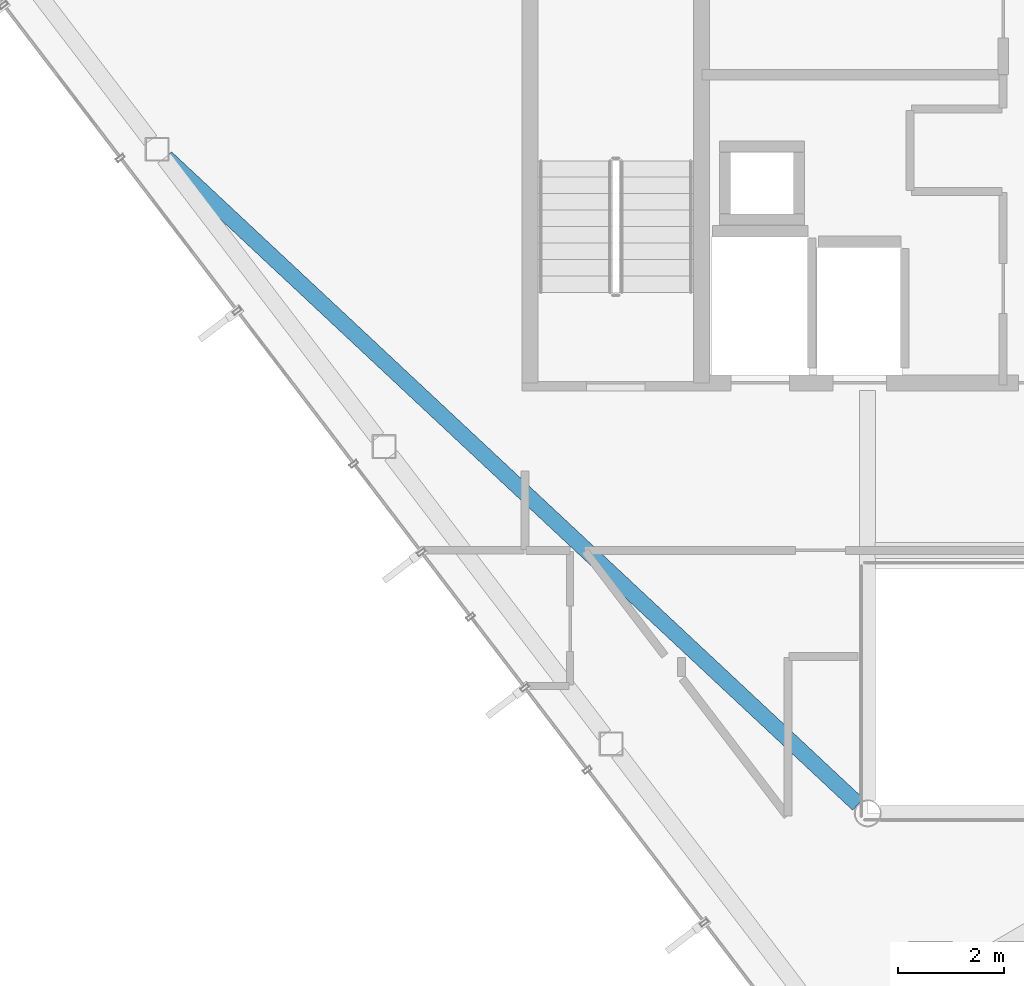
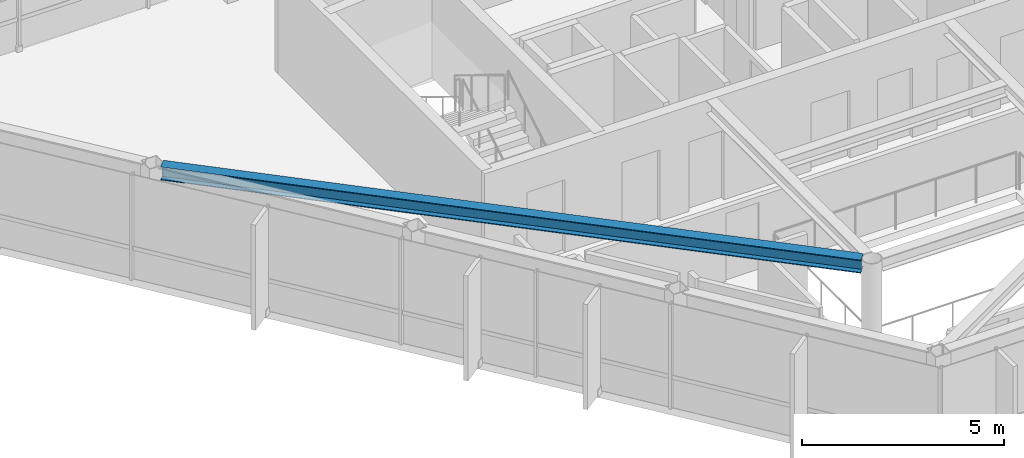
# One storey, part 6 of 22: 1 beam.
"""IFC4 building model written with IfcOpenShell, lengths in metres."""

from ifc_helpers import new_model, si_unit, direction, frame, origin, origin_2d, place, context, subcontext, project, spatial, i_section, extrude, material, material_profile, profile_set, type_object, element, save


model = new_model("IFC4")

# Units and contexts
model_context = context("Model", 3, precision=1e-05, world=origin(), true_north=direction((0.0, 1.0)))
body_context = subcontext(model_context, "Body", "Model", "MODEL_VIEW")
ifc_project = project(units=[si_unit("LENGTHUNIT", "METRE"), si_unit("AREAUNIT", "SQUARE_METRE"), si_unit("VOLUMEUNIT", "CUBIC_METRE"), si_unit("PLANEANGLEUNIT", "RADIAN"), si_unit("MASSUNIT", "GRAM", prefix="KILO")], contexts=[model_context])

# Site, building, storey
site_placement = place(None, origin())
site = spatial("IfcSite", under=ifc_project, at=site_placement, CompositionType="ELEMENT")
building_placement = place(site_placement, origin())
building = spatial("IfcBuilding", under=site, at=building_placement, Name="Zarrinselat Tower", CompositionType="ELEMENT")
storey_placement = place(building_placement, frame((0.0, 0.0, 292.39990234375)))
storey = spatial("IfcBuildingStorey", under=building, at=storey_placement, Name="L75", CompositionType="ELEMENT", Elevation=292.39990234375)

# Beam
ifc_material = material(Name="Steel S355J2", Category="steel")
ifc_material_profile = material_profile(ifc_material, i_section(OverallWidth=0.300048828125, OverallDepth=0.39990234375, WebThickness=0.013427734375, FlangeThickness=0.02392578125, at=origin_2d()), Name="HEB 400")
ifc_profile_set = profile_set([ifc_material_profile], Name="Steel S355J2")
beam_type = type_object("IfcBeamType", Name="BM-HEB400", PredefinedType="BEAM", material=ifc_profile_set)
beam_placement = place(storey_placement, frame((21.79736328125, 37.541015625, 2.97998046875), z_axis=(0.730540309461, -0.682869574848, 0.0), x_axis=(0.682869574848, 0.730540309461, 0.0)))
element("IfcBeam", 1, at=beam_placement, inside=storey, type_object=beam_type, Name="L75 Radial Primary Girder RG07", PredefinedType="BEAM", context=body_context, shape_type="SweptSolid", body=[
    extrude(i_section(OverallWidth=0.300048828125, OverallDepth=0.39990234375, WebThickness=0.013427734375, FlangeThickness=0.02392578125, at=origin_2d()), origin(), (0.0, 0.0, 1.0), 17.822509765625),
])

save(model, "model.ifc")
